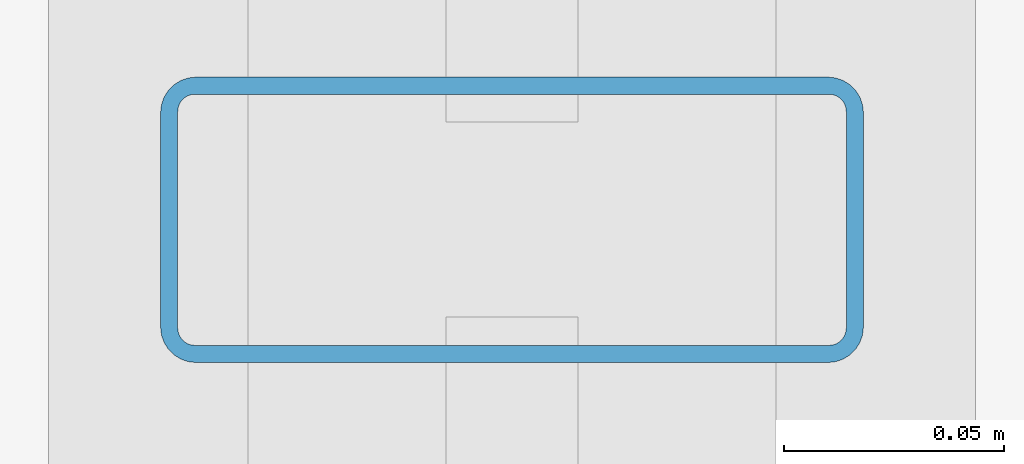
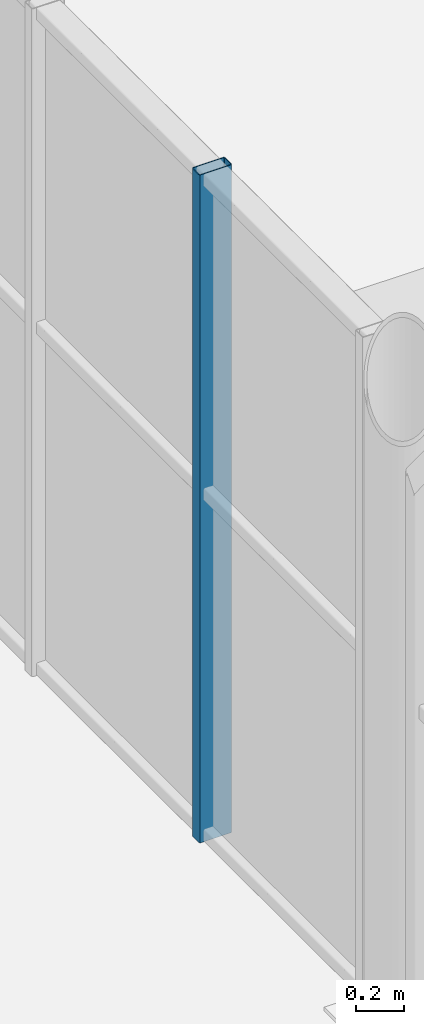
# One storey, part 14 of 27: 1 member, 1 element without a shape of its own.
"""IFC4 building model written with IfcOpenShell, lengths in metres."""

from ifc_helpers import new_model, si_unit, direction, frame, origin, origin_2d, place, context, subcontext, project, spatial, hollow_rectangle, extrude, material, material_profile, profile_set, type_object, element, aggregate, save


model = new_model("IFC4")

# Units and contexts
model_context = context("Model", 3, precision=1e-05, world=origin(), true_north=direction((0.0, 1.0)))
body_context = subcontext(model_context, "Body", "Model", "MODEL_VIEW")
ifc_project = project(units=[si_unit("LENGTHUNIT", "METRE"), si_unit("AREAUNIT", "SQUARE_METRE"), si_unit("VOLUMEUNIT", "CUBIC_METRE"), si_unit("PLANEANGLEUNIT", "RADIAN"), si_unit("MASSUNIT", "GRAM", prefix="KILO")], contexts=[model_context])

# Site, building, storey
site_placement = place(None, origin())
site = spatial("IfcSite", under=ifc_project, at=site_placement, CompositionType="ELEMENT")
building_placement = place(site_placement, origin())
building = spatial("IfcBuilding", under=site, at=building_placement, Name="Verrall Gate Interchange", CompositionType="ELEMENT")
storey_placement = place(building_placement, frame((0.0, 0.0, 28.60009765625)))
storey = spatial("IfcBuildingStorey", under=building, at=storey_placement, Name="L07", CompositionType="ELEMENT", Elevation=28.60009765625)

# Curtain wall, member
ifc_material_1 = material(Name="Thermally Broken Anodized Aluminium Curtain Wall Framing", Category="aluminium")
curtain_wall_type = type_object("IfcCurtainWallType", Name="CW-50 Unitized Curtain Wall 5647x3420", PredefinedType="NOTDEFINED", material=ifc_material_1)
curtain_wall_placement = place(storey_placement, origin())
curtain_wall = element("IfcCurtainWall", 1, at=curtain_wall_placement, inside=storey, type_object=curtain_wall_type, Name="L07 Unitized Curtain Wall CW-L07-160", PredefinedType="NOTDEFINED")
ifc_material_2 = material(Name="Thermally Broken Anodized Aluminium Curtain Wall Framing", Category="aluminium")
ifc_material_profile = material_profile(ifc_material_2, hollow_rectangle(XDim=0.06494140625, YDim=0.159912109375, WallThickness=0.00390625, InnerFilletRadius=0.00390625, OuterFilletRadius=0.008056640625, at=origin_2d()), Name="CWM160x65x4")
ifc_profile_set = profile_set([ifc_material_profile], Name="Thermally Broken Anodized Aluminium Curtain Wall Framing")
member_type = type_object("IfcMemberType", Name="CM-01 Curtain Mullion CWM160x65x4", PredefinedType="MULLION", material=ifc_profile_set)
member_placement = place(storey_placement, frame((30.0, 35.596923828125, 0.0), z_axis=(0.0, 0.0, 1.0), x_axis=(0.0, 1.0, 0.0)))
member = element("IfcMember", 2, at=member_placement, type_object=member_type, Name="CW-L07-160 Mullion 2", PredefinedType="MULLION", context=body_context, shape_type="SweptSolid", body=[
    extrude(hollow_rectangle(XDim=0.06494140625, YDim=0.159912109375, WallThickness=0.00390625, InnerFilletRadius=0.00390625, OuterFilletRadius=0.008056640625, at=origin_2d()), origin(), (0.0, 0.0, 1.0), 3.419921875),
])
aggregate(curtain_wall, [member])

save(model, "model.ifc")
